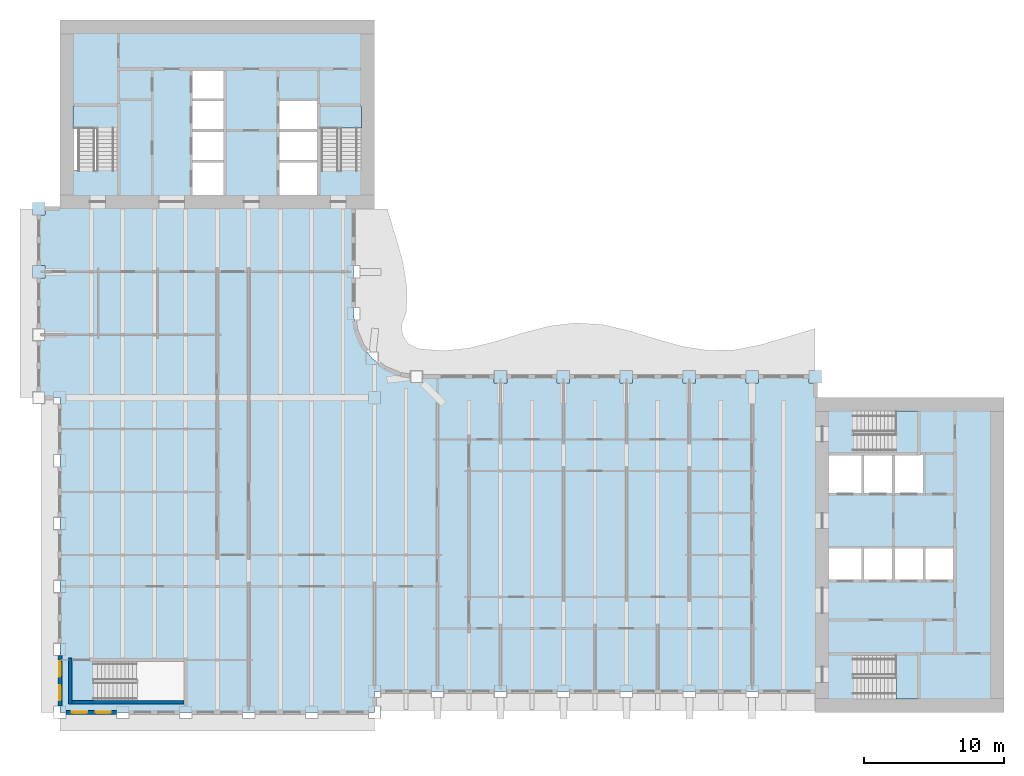
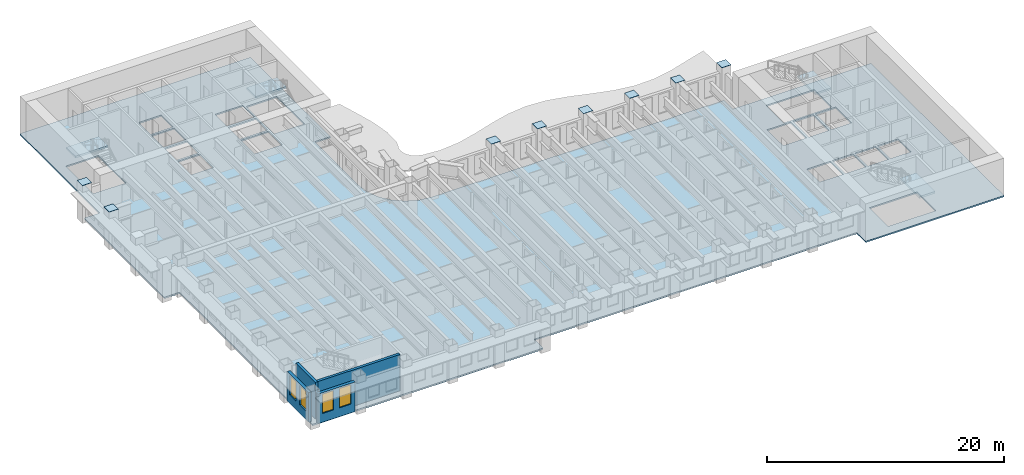
# One storey, part 2 of 16: 8 plates, 5 slabs, 4 walls, 4 windows, 4 openings, 4 elements without a shape of their own.
"""IFC4 building model written with IfcOpenShell, lengths in metres."""

from ifc_helpers import new_model, si_unit, direction, frame, frame_2d, origin, origin_2d, place, context, subcontext, project, spatial, polyline, rectangle, outline, extrude, material, layer, layer_set, type_object, element, fill, aggregate, save


model = new_model("IFC4")

# Units and contexts
model_context = context("Model", 3, precision=1e-05, world=origin(), true_north=direction((0.0, 1.0)))
body_context = subcontext(model_context, "Body", "Model", "MODEL_VIEW")
ifc_project = project(units=[si_unit("LENGTHUNIT", "METRE"), si_unit("AREAUNIT", "SQUARE_METRE"), si_unit("VOLUMEUNIT", "CUBIC_METRE"), si_unit("PLANEANGLEUNIT", "RADIAN"), si_unit("MASSUNIT", "GRAM", prefix="KILO")], contexts=[model_context])

# Site, building, storey
site_placement = place(None, origin())
site = spatial("IfcSite", under=ifc_project, at=site_placement, CompositionType="ELEMENT")
building_placement = place(site_placement, origin())
building = spatial("IfcBuilding", under=site, at=building_placement, Name="Sennacour Bend Tower", CompositionType="ELEMENT")
storey_placement = place(building_placement, frame((0.0, 0.0, 183.0)))
storey = spatial("IfcBuildingStorey", under=building, at=storey_placement, Name="L42", CompositionType="ELEMENT", Elevation=183.0)

# Plates
ifc_material_1 = material(Name="Steel ASTM A572 Grade 50", Category="steel")
ifc_layer_1 = layer(ifc_material_1, 0.02490234375, Name="Steel ASTM A572 Grade 50", Category="steel")
ifc_layer_set_1 = layer_set([ifc_layer_1], Name="Steel ASTM A572 Grade 50")
plate_type = type_object("IfcPlateType", Name="Column cap plate 900", PredefinedType="USERDEFINED", material=ifc_layer_set_1)
for number, where, z_axis, x_axis, name in (
    (1, (-1.5, 31.5, 3.75), (0.0, 0.0, 1.0), (1.0, 0.0, 0.0), "Column cap plate L42-003"),
    (2, (-1.5, 36.0, 3.75), (0.0, 0.0, 1.0), (1.0, 0.0, 0.0), "Column cap plate L42-004"),
    (3, (31.5, 24.0, 3.75), (0.0, 0.0, 1.0), (1.0, 0.0, 0.0), "Column cap plate L42-024"),
    (4, (36.0, 24.0, 3.75), (0.0, 0.0, 1.0), (1.0, 0.0, 0.0), "Column cap plate L42-026"),
    (5, (40.5, 24.0, 3.75), (0.0, 0.0, 1.0), (1.0, 0.0, 0.0), "Column cap plate L42-028"),
    (6, (45.0, 24.0, 3.75), (0.0, 0.0, 1.0), (1.0, 0.0, 0.0), "Column cap plate L42-030"),
    (7, (49.5, 24.0, 3.75), (0.0, 0.0, 1.0), (1.0, 0.0, 0.0), "Column cap plate L42-032"),
    (8, (54.0, 24.0, 3.75), (0.0, 0.0, 1.0), (1.0, 0.0, 0.0), "Column cap plate L42-033"),
):
    element("IfcPlate", number, at=place(storey_placement, frame(where, z_axis=z_axis, x_axis=x_axis)), inside=storey, type_object=plate_type, Name=name, ObjectType="END PLATE", PredefinedType="USERDEFINED", context=body_context, shape_type="SweptSolid", body=[
        extrude(rectangle(XDim=0.89990234375, YDim=0.89990234375, at=origin_2d()), origin(), (0.0, 0.0, 1.0), 0.02490234375),
    ])

# Slab
ifc_material_2 = material(Name="Concrete C30/37", Category="concrete")
ifc_layer_2 = layer(ifc_material_2, 0.14990234375, Name="Concrete C30/37", Category="concrete")
ifc_layer_set_2 = layer_set([ifc_layer_2], Name="Concrete C30/37")
slab_type_1 = type_object("IfcSlabType", Name="Floor slab 150", PredefinedType="FLOOR", material=ifc_layer_set_2)
slab_1_placement = place(storey_placement, frame((0.0, 0.0, -0.14990234375)))
element("IfcSlab", 9, at=slab_1_placement, inside=storey, type_object=slab_type_1, Name="Floor slab L42-01", PredefinedType="FLOOR", context=body_context, shape_type="SweptSolid", body=[
    extrude(outline(polyline([(0.0, 22.5), (-1.5, 22.5), (-1.5, 36.0), (0.0, 36.0), (0.0, 49.5), (22.5, 49.5), (22.5, 36.0), (21.0, 36.0), (21.0, 28.5), (21.1533203125, 27.335205078125), (21.602783203125, 26.25), (22.318115234375, 25.318115234375), (23.25, 24.602783203125), (24.335205078125, 24.1533203125), (25.5, 24.0), (54.0, 24.0), (54.0, 22.5), (67.5, 22.5), (67.5, 0.0), (54.0, 0.0), (54.0, 1.5), (22.5, 1.5), (22.5, 0.0), (0.0, 0.0), (0.0, 22.5)]), holes=[polyline([(8.800048828125, 0.949951171875), (8.800048828125, 3.5), (2.429931640625, 3.5), (2.429931640625, 0.949951171875), (8.800048828125, 0.949951171875)]), polyline([(11.699951171875, 37.0), (11.699951171875, 39.300048828125), (9.5, 39.300048828125), (9.5, 37.0), (11.699951171875, 37.0)]), polyline([(18.39990234375, 37.0), (18.39990234375, 39.300048828125), (15.699951171875, 39.300048828125), (15.699951171875, 37.0), (18.39990234375, 37.0)]), polyline([(11.699951171875, 39.5), (11.699951171875, 41.5), (9.5, 41.5), (9.5, 39.5), (11.699951171875, 39.5)]), polyline([(18.39990234375, 39.5), (18.39990234375, 41.5), (15.699951171875, 41.5), (15.699951171875, 39.5), (18.39990234375, 39.5)]), polyline([(4.125, 38.72998046875), (4.125, 43.39990234375), (0.949951171875, 43.39990234375), (0.949951171875, 38.72998046875), (4.125, 38.72998046875)]), polyline([(21.550048828125, 38.72998046875), (21.550048828125, 43.39990234375), (18.574951171875, 43.39990234375), (18.574951171875, 38.72998046875), (21.550048828125, 38.72998046875)]), polyline([(9.5, 41.699951171875), (11.699951171875, 41.699951171875), (11.699951171875, 43.699951171875), (9.5, 43.699951171875), (9.5, 41.699951171875)]), polyline([(15.699951171875, 41.699951171875), (18.39990234375, 41.699951171875), (18.39990234375, 43.699951171875), (15.699951171875, 43.699951171875), (15.699951171875, 41.699951171875)]), polyline([(11.699951171875, 43.89990234375), (11.699951171875, 45.89990234375), (9.5, 45.89990234375), (9.5, 43.89990234375), (11.699951171875, 43.89990234375)]), polyline([(61.39990234375, 0.949951171875), (61.39990234375, 4.125), (56.72998046875, 4.125), (56.72998046875, 0.949951171875), (61.39990234375, 0.949951171875)]), polyline([(57.300048828125, 9.5), (57.300048828125, 11.699951171875), (55.0, 11.699951171875), (55.0, 9.5), (57.300048828125, 9.5)]), polyline([(57.5, 9.5), (59.5, 9.5), (59.5, 11.699951171875), (57.5, 11.699951171875), (57.5, 9.5)]), polyline([(59.699951171875, 9.5), (61.699951171875, 9.5), (61.699951171875, 11.699951171875), (59.699951171875, 11.699951171875), (59.699951171875, 9.5)]), polyline([(63.89990234375, 9.5), (63.89990234375, 11.699951171875), (61.89990234375, 11.699951171875), (61.89990234375, 9.5), (63.89990234375, 9.5)]), polyline([(57.300048828125, 15.699951171875), (57.300048828125, 18.39990234375), (55.0, 18.39990234375), (55.0, 15.699951171875), (57.300048828125, 15.699951171875)]), polyline([(59.5, 15.699951171875), (59.5, 18.39990234375), (57.5, 18.39990234375), (57.5, 15.699951171875), (59.5, 15.699951171875)]), polyline([(59.699951171875, 15.699951171875), (61.699951171875, 15.699951171875), (61.699951171875, 18.39990234375), (59.699951171875, 18.39990234375), (59.699951171875, 15.699951171875)]), polyline([(56.72998046875, 18.574951171875), (61.39990234375, 18.574951171875), (61.39990234375, 21.550048828125), (56.72998046875, 21.550048828125), (56.72998046875, 18.574951171875)])]), origin(), (0.0, 0.0, 1.0), 0.14990234375),
])

# Stair, slab
ifc_material_3 = material(Name="Concrete C40/50", Category="concrete")
stair_type = type_object("IfcStairType", Name="ST-DOGLEG", PredefinedType="HALF_TURN_STAIR", material=ifc_material_3)
stair_1_placement = place(storey_placement, origin())
stair_1 = element("IfcStair", 10, at=stair_1_placement, inside=storey, type_object=stair_type, Name="L42 Exit stair A1", PredefinedType="HALF_TURN_STAIR")
ifc_layer_3 = layer(ifc_material_3, 0.199951171875, Name="Concrete C40/50", Category="concrete")
ifc_layer_set_3 = layer_set([ifc_layer_3], Name="Concrete C40/50")
slab_type_2 = type_object("IfcSlabType", Name="Stair landing 200", PredefinedType="LANDING", material=ifc_layer_set_3)
slab_2_placement = place(storey_placement, frame((0.0, 0.0, 1.800048828125)))
slab_2 = element("IfcSlab", 11, at=slab_2_placement, type_object=slab_type_2, Name="SA1 landing 1", PredefinedType="LANDING", context=body_context, shape_type="SweptSolid", body=[
    extrude(outline(polyline([(59.780029296875, 0.949951171875), (61.324951171875, 0.949951171875), (61.324951171875, 4.125), (59.780029296875, 4.125), (59.780029296875, 0.949951171875)])), origin(), (0.0, 0.0, 1.0), 0.199951171875),
])
aggregate(stair_1, [slab_2])

stair_2_placement = place(storey_placement, origin())
stair_2 = element("IfcStair", 12, at=stair_2_placement, inside=storey, type_object=stair_type, Name="L42 Exit stair A2", PredefinedType="HALF_TURN_STAIR")
slab_3_placement = place(storey_placement, frame((0.0, 0.0, 1.800048828125)))
slab_3 = element("IfcSlab", 13, at=slab_3_placement, type_object=slab_type_2, Name="SA2 landing 1", PredefinedType="LANDING", context=body_context, shape_type="SweptSolid", body=[
    extrude(outline(polyline([(59.780029296875, 18.574951171875), (61.324951171875, 18.574951171875), (61.324951171875, 21.550048828125), (59.780029296875, 21.550048828125), (59.780029296875, 18.574951171875)])), origin(), (0.0, 0.0, 1.0), 0.199951171875),
])
aggregate(stair_2, [slab_3])

stair_3_placement = place(storey_placement, origin())
stair_3 = element("IfcStair", 14, at=stair_3_placement, inside=storey, type_object=stair_type, Name="L42 Exit stair B1", PredefinedType="HALF_TURN_STAIR")
slab_4_placement = place(storey_placement, frame((0.0, 0.0, 1.800048828125)))
slab_4 = element("IfcSlab", 15, at=slab_4_placement, type_object=slab_type_2, Name="SB1 landing 1", PredefinedType="LANDING", context=body_context, shape_type="SweptSolid", body=[
    extrude(outline(polyline([(0.949951171875, 41.780029296875), (4.125, 41.780029296875), (4.125, 43.324951171875), (0.949951171875, 43.324951171875), (0.949951171875, 41.780029296875)])), origin(), (0.0, 0.0, 1.0), 0.199951171875),
])
aggregate(stair_3, [slab_4])

stair_4_placement = place(storey_placement, origin())
stair_4 = element("IfcStair", 16, at=stair_4_placement, inside=storey, type_object=stair_type, Name="L42 Exit stair B2", PredefinedType="HALF_TURN_STAIR")
slab_5_placement = place(storey_placement, frame((0.0, 0.0, 1.800048828125)))
slab_5 = element("IfcSlab", 17, at=slab_5_placement, type_object=slab_type_2, Name="SB2 landing 1", PredefinedType="LANDING", context=body_context, shape_type="SweptSolid", body=[
    extrude(outline(polyline([(18.574951171875, 41.780029296875), (21.550048828125, 41.780029296875), (21.550048828125, 43.324951171875), (18.574951171875, 43.324951171875), (18.574951171875, 41.780029296875)])), origin(), (0.0, 0.0, 1.0), 0.199951171875),
])
aggregate(stair_4, [slab_5])

# Wall, openings, windows
ifc_material_4 = material(Name="Warm limestone cladding", Category="masonry")
ifc_layer_4 = layer(ifc_material_4, 0.050048828125, Name="Warm limestone cladding", Category="masonry")
ifc_material_5 = material(Name="Precast concrete C40/50", Category="concrete")
ifc_layer_5 = layer(ifc_material_5, 0.25, Name="Precast concrete C40/50", Category="concrete")
ifc_layer_set_4 = layer_set([ifc_layer_4, ifc_layer_5], Name="Precast concrete C40/50 with limestone cladding")
wall_type_1 = type_object("IfcWallType", Name="STONE-CLAD PRECAST SPANDREL 300", PredefinedType="STANDARD", material=ifc_layer_set_4)
wall_1_placement = place(storey_placement, frame((0.449951171875, 0.0, 0.0), z_axis=(0.0, 0.0, 1.0), x_axis=(1.0, 0.0, 0.0)))
wall_1 = element("IfcWall", 18, at=wall_1_placement, inside=storey, type_object=wall_type_1, Name="Stone spandrel and pier wall L42 00.00", PredefinedType="STANDARD", context=body_context, shape_type="SweptSolid", body=[
    extrude(rectangle(XDim=3.60009765625, YDim=0.300048828125, at=frame_2d((1.800048828125, 0.0))), origin(), (0.0, 0.0, 1.0), 3.049072265625),
])
opening_1_placement = place(wall_1_placement, frame((0.39990234375, 0.0, 0.89990234375)))
opening_1 = element("IfcOpeningElement", 19, at=opening_1_placement, cuts=wall_1, Name="Opening W19", PredefinedType="OPENING", context=body_context, shape_type="SweptSolid", body=[
    extrude(rectangle(XDim=1.10009765625, YDim=2.0, at=frame_2d((0.550048828125, 1.0))), frame((0.0, 0.16015625, 0.0), z_axis=(0.0, -1.0, 0.0), x_axis=(1.0, 0.0, 0.0)), (0.0, 0.0, 1.0), 0.320068359375),
])
opening_2_placement = place(wall_1_placement, frame((2.10009765625, 0.0, 0.89990234375)))
opening_2 = element("IfcOpeningElement", 20, at=opening_2_placement, cuts=wall_1, Name="Opening W19", PredefinedType="OPENING", context=body_context, shape_type="SweptSolid", body=[
    extrude(rectangle(XDim=1.10009765625, YDim=2.0, at=frame_2d((0.550048828125, 1.0))), frame((0.0, 0.16015625, 0.0), z_axis=(0.0, -1.0, 0.0), x_axis=(1.0, 0.0, 0.0)), (0.0, 0.0, 1.0), 0.320068359375),
])
ifc_material_6 = material(Name="Clear low-emissivity glass", Category="glass")
window_type = type_object("IfcWindowType", Name="WIN-RIBBON-1100x2000", PartitioningType="SINGLE_PANEL", PredefinedType="WINDOW", material=ifc_material_6)
window_1_placement = place(opening_1_placement, origin())
window_1 = element("IfcWindow", 21, at=window_1_placement, inside=storey, type_object=window_type, Name="Ribbon window L42 00.00.0", OverallHeight=2.0, OverallWidth=1.10009765625, PartitioningType="SINGLE_PANEL", PredefinedType="WINDOW", context=body_context, shape_type="SweptSolid", body=[
    extrude(rectangle(XDim=1.10009765625, YDim=2.0, at=frame_2d((0.550048828125, 1.0))), frame((0.0, 0.030029296875, 0.0), z_axis=(0.0, -1.0, 0.0), x_axis=(1.0, 0.0, 0.0)), (0.0, 0.0, 1.0), 0.06005859375),
])
fill(opening_1, window_1)
window_2_placement = place(opening_2_placement, origin())
window_2 = element("IfcWindow", 22, at=window_2_placement, inside=storey, type_object=window_type, Name="Ribbon window L42 00.00.1", OverallHeight=2.0, OverallWidth=1.10009765625, PartitioningType="SINGLE_PANEL", PredefinedType="WINDOW", context=body_context, shape_type="SweptSolid", body=[
    extrude(rectangle(XDim=1.10009765625, YDim=2.0, at=frame_2d((0.550048828125, 1.0))), frame((0.0, 0.030029296875, 0.0), z_axis=(0.0, -1.0, 0.0), x_axis=(1.0, 0.0, 0.0)), (0.0, 0.0, 1.0), 0.06005859375),
])
fill(opening_2, window_2)

wall_2_placement = place(storey_placement, frame((0.0, 4.050048828125, 0.0), z_axis=(0.0, 0.0, 1.0), x_axis=(0.0, -1.0, 0.0)))
wall_2 = element("IfcWall", 23, at=wall_2_placement, inside=storey, type_object=wall_type_1, Name="Stone spandrel and pier wall L42 23.04", PredefinedType="STANDARD", context=body_context, shape_type="SweptSolid", body=[
    extrude(rectangle(XDim=3.60009765625, YDim=0.300048828125, at=frame_2d((1.800048828125, 0.0))), origin(), (0.0, 0.0, 1.0), 3.049072265625),
])
opening_3_placement = place(wall_2_placement, frame((0.39990234375, 0.0, 0.89990234375)))
opening_3 = element("IfcOpeningElement", 24, at=opening_3_placement, cuts=wall_2, Name="Opening W19", PredefinedType="OPENING", context=body_context, shape_type="SweptSolid", body=[
    extrude(rectangle(XDim=1.10009765625, YDim=2.0, at=frame_2d((0.550048828125, 1.0))), frame((0.0, 0.16015625, 0.0), z_axis=(0.0, -1.0, 0.0), x_axis=(1.0, 0.0, 0.0)), (0.0, 0.0, 1.0), 0.320068359375),
])
opening_4_placement = place(wall_2_placement, frame((2.10009765625, 0.0, 0.89990234375)))
opening_4 = element("IfcOpeningElement", 25, at=opening_4_placement, cuts=wall_2, Name="Opening W19", PredefinedType="OPENING", context=body_context, shape_type="SweptSolid", body=[
    extrude(rectangle(XDim=1.10009765625, YDim=2.0, at=frame_2d((0.550048828125, 1.0))), frame((0.0, 0.16015625, 0.0), z_axis=(0.0, -1.0, 0.0), x_axis=(1.0, 0.0, 0.0)), (0.0, 0.0, 1.0), 0.320068359375),
])
window_3_placement = place(opening_3_placement, origin())
window_3 = element("IfcWindow", 26, at=window_3_placement, inside=storey, type_object=window_type, Name="Ribbon window L42 23.04.0", OverallHeight=2.0, OverallWidth=1.10009765625, PartitioningType="SINGLE_PANEL", PredefinedType="WINDOW", context=body_context, shape_type="SweptSolid", body=[
    extrude(rectangle(XDim=1.10009765625, YDim=2.0, at=frame_2d((0.550048828125, 1.0))), frame((0.0, 0.030029296875, 0.0), z_axis=(0.0, -1.0, 0.0), x_axis=(1.0, 0.0, 0.0)), (0.0, 0.0, 1.0), 0.06005859375),
])
fill(opening_3, window_3)
window_4_placement = place(opening_4_placement, origin())
window_4 = element("IfcWindow", 27, at=window_4_placement, inside=storey, type_object=window_type, Name="Ribbon window L42 23.04.1", OverallHeight=2.0, OverallWidth=1.10009765625, PartitioningType="SINGLE_PANEL", PredefinedType="WINDOW", context=body_context, shape_type="SweptSolid", body=[
    extrude(rectangle(XDim=1.10009765625, YDim=2.0, at=frame_2d((0.550048828125, 1.0))), frame((0.0, 0.030029296875, 0.0), z_axis=(0.0, -1.0, 0.0), x_axis=(1.0, 0.0, 0.0)), (0.0, 0.0, 1.0), 0.06005859375),
])
fill(opening_4, window_4)

# Walls
ifc_material_7 = material(Name="Concrete C60/75", Category="concrete")
ifc_layer_6 = layer(ifc_material_7, 0.25, Name="Concrete C60/75", Category="concrete")
ifc_layer_set_5 = layer_set([ifc_layer_6], Name="Concrete C60/75")
wall_type_2 = type_object("IfcWallType", Name="Stair wall 250", PredefinedType="SHEAR", material=ifc_layer_set_5)
wall_3_placement = place(storey_placement, frame((0.72509765625, 0.60009765625, 0.0), z_axis=(0.0, 0.0, 1.0), x_axis=(0.0, 1.0, 0.0)))
element("IfcWall", 28, at=wall_3_placement, inside=storey, type_object=wall_type_2, Name="P-L42-W003", PredefinedType="SHEAR", context=body_context, shape_type="SweptSolid", body=[
    extrude(rectangle(XDim=3.27490234375, YDim=0.25, at=frame_2d((1.637451171875, 0.0))), origin(), (0.0, 0.0, 1.0), 3.75),
])
wall_4_placement = place(storey_placement, frame((0.85009765625, 0.72509765625, 0.0), z_axis=(0.0, 0.0, 1.0), x_axis=(1.0, 0.0, 0.0)))
element("IfcWall", 29, at=wall_4_placement, inside=storey, type_object=wall_type_2, Name="P-L42-W049", PredefinedType="SHEAR", context=body_context, shape_type="SweptSolid", body=[
    extrude(rectangle(XDim=8.02490234375, YDim=0.25, at=frame_2d((4.012451171875, 0.0))), origin(), (0.0, 0.0, 1.0), 3.75),
])

save(model, "model.ifc")
